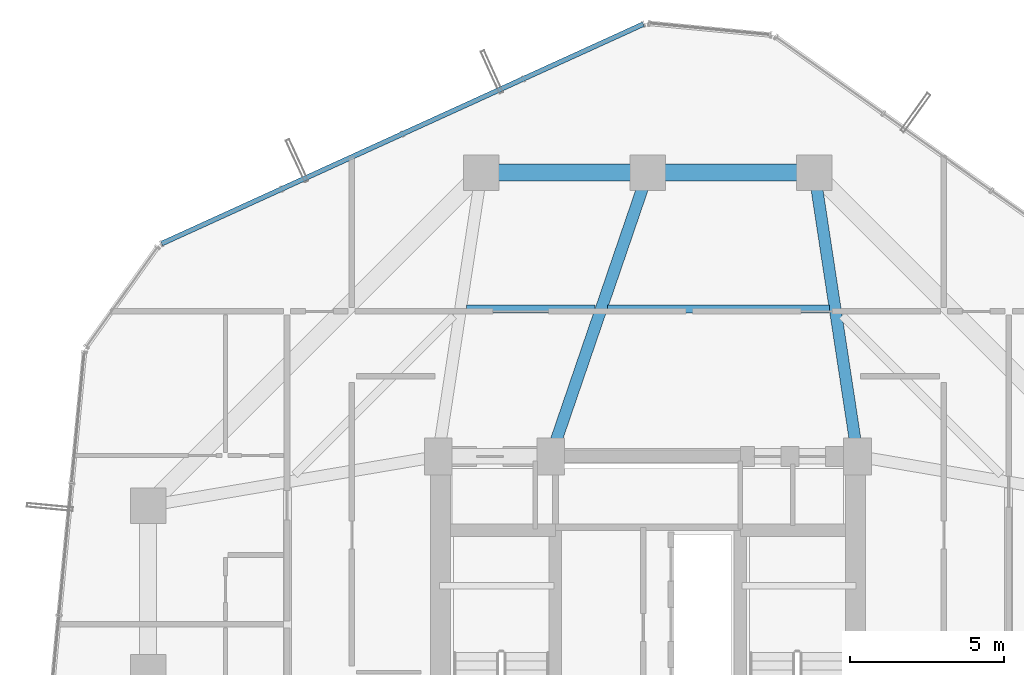
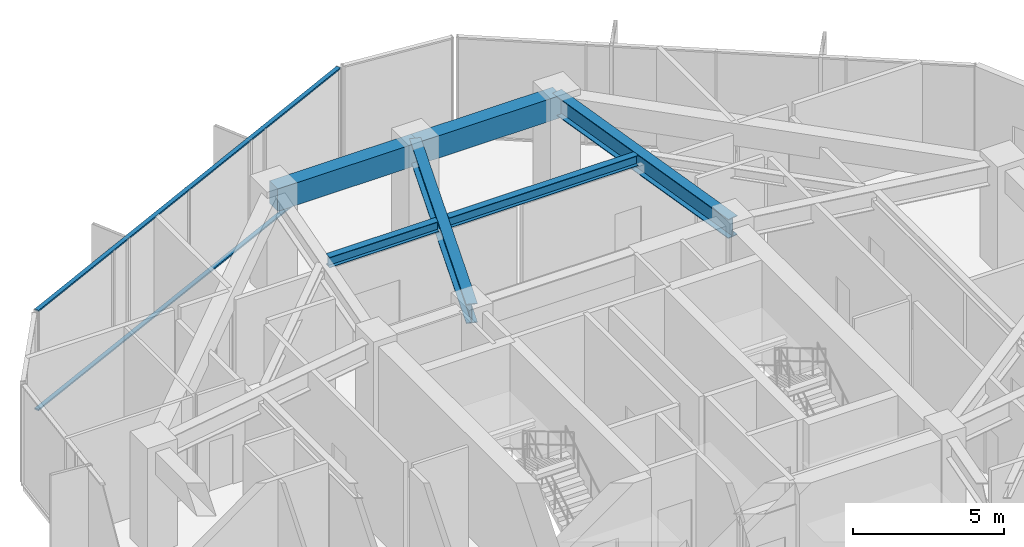
# One storey, part 16 of 25: 6 beams, 2 members, 1 element without a shape of its own.
"""IFC4 building model written with IfcOpenShell, lengths in metres."""

from ifc_helpers import new_model, si_unit, direction, frame, origin, origin_2d, place, context, subcontext, project, spatial, rectangle, hollow_rectangle, i_section, extrude, source, transform, mapped, material, layer, layer_set, material_profile, profile_set, type_object, element, aggregate, save


model = new_model("IFC4")

# Units and contexts
model_context = context("Model", 3, precision=1e-05, world=origin(), true_north=direction((0.0, 1.0)))
body_context = subcontext(model_context, "Body", "Model", "MODEL_VIEW")
ifc_project = project(units=[si_unit("LENGTHUNIT", "METRE"), si_unit("AREAUNIT", "SQUARE_METRE"), si_unit("VOLUMEUNIT", "CUBIC_METRE"), si_unit("PLANEANGLEUNIT", "RADIAN"), si_unit("MASSUNIT", "GRAM", prefix="KILO")], contexts=[model_context])

# Site, building, storey
site_placement = place(None, origin())
site = spatial("IfcSite", under=ifc_project, at=site_placement, CompositionType="ELEMENT")
building_placement = place(site_placement, origin())
building = spatial("IfcBuilding", under=site, at=building_placement, Name="Veraguas Prism Commons", CompositionType="ELEMENT")
storey_placement = place(building_placement, frame((0.0, 0.0, 108.949951171875)))
storey = spatial("IfcBuildingStorey", under=building, at=storey_placement, Name="L30", CompositionType="ELEMENT", Elevation=108.949951171875)

# Beams
ifc_material_1 = material(Name="Steel ASTM A992 Grade 50", Category="steel")
ifc_material_profile_1 = material_profile(ifc_material_1, i_section(OverallWidth=0.382080078125, OverallDepth=0.779052734375, WebThickness=0.01806640625, FlangeThickness=0.030029296875, at=origin_2d()), Name="W760X284")
ifc_profile_set_1 = profile_set([ifc_material_profile_1], Name="Steel ASTM A992 Grade 50")
beam_type_1 = type_object("IfcBeamType", Name="Assembly Primary Girder W760x284", PredefinedType="BEAM", material=ifc_profile_set_1)
beam_1_placement = place(storey_placement, frame((29.39990234375, 40.199951171875, 3.66064453125), z_axis=(0.150458162136, -0.98861637729, 0.0), x_axis=(0.98861637729, 0.150458162136, 0.0)))
element("IfcBeam", 1, at=beam_1_placement, inside=storey, type_object=beam_type_1, Name="Radial Floor Girder L30-RD04", PredefinedType="BEAM", context=body_context, shape_type="SweptSolid", body=[
    extrude(i_section(OverallWidth=0.382080078125, OverallDepth=0.779052734375, WebThickness=0.01806640625, FlangeThickness=0.030029296875, at=origin_2d()), origin(), (0.0, 0.0, 1.0), 9.305908203125),
])
beam_2_placement = place(storey_placement, frame((24.0, 40.199951171875, 3.66064453125), z_axis=(-0.323922482989, -0.946083624747, 0.0), x_axis=(0.946083624747, -0.323922482989, 0.0)))
element("IfcBeam", 2, at=beam_2_placement, inside=storey, type_object=beam_type_1, Name="Radial Floor Girder L30-RD05", PredefinedType="BEAM", context=body_context, shape_type="SweptSolid", body=[
    extrude(i_section(OverallWidth=0.382080078125, OverallDepth=0.779052734375, WebThickness=0.01806640625, FlangeThickness=0.030029296875, at=origin_2d()), origin(), (0.0, 0.0, 1.0), 9.724365234375),
])
ifc_material_profile_2 = material_profile(ifc_material_1, i_section(OverallWidth=0.260986328125, OverallDepth=0.419921875, WebThickness=0.01171875, FlangeThickness=0.019287109375, at=origin_2d()), Name="W410X114")
ifc_profile_set_2 = profile_set([ifc_material_profile_2], Name="Steel ASTM A992 Grade 50")
beam_type_2 = type_object("IfcBeamType", Name="Lower Floor Joist W410x114", PredefinedType="JOIST", material=ifc_profile_set_2)
beam_3_placement = place(storey_placement, frame((29.880859375, 35.783935546875, 3.840087890625), z_axis=(-1.0, 0.0, 0.0), x_axis=(0.0, -1.0, 0.0)))
element("IfcBeam", 3, at=beam_3_placement, inside=storey, type_object=beam_type_2, Name="Composite Floor Joist L30-JS04", PredefinedType="JOIST", context=body_context, shape_type="SweptSolid", body=[
    extrude(i_section(OverallWidth=0.260986328125, OverallDepth=0.419921875, WebThickness=0.01171875, FlangeThickness=0.019287109375, at=origin_2d()), origin(), (0.0, 0.0, 1.0), 7.193115234375),
])
beam_4_placement = place(storey_placement, frame((22.2880859375, 35.783935546875, 3.840087890625), z_axis=(-1.0, 0.0, 0.0), x_axis=(0.0, -1.0, 0.0)))
element("IfcBeam", 4, at=beam_4_placement, inside=storey, type_object=beam_type_2, Name="Composite Floor Joist L30-JS05", PredefinedType="JOIST", context=body_context, shape_type="SweptSolid", body=[
    extrude(i_section(OverallWidth=0.260986328125, OverallDepth=0.419921875, WebThickness=0.01171875, FlangeThickness=0.019287109375, at=origin_2d()), origin(), (0.0, 0.0, 1.0), 4.1689453125),
])
ifc_material_2 = material(Name="Concrete C50/60", Category="concrete")
ifc_material_profile_3 = material_profile(ifc_material_2, rectangle(XDim=0.550048828125, YDim=0.89990234375, at=origin_2d()), Name="RC550X900")
ifc_profile_set_3 = profile_set([ifc_material_profile_3], Name="Concrete C50/60")
beam_type_3 = type_object("IfcBeamType", Name="Perimeter Spandrel Lower RC 550x900", PredefinedType="SPANDREL", material=ifc_profile_set_3)
for number, where, z_axis, x_axis, name in (
    (5, (29.39990234375, 40.199951171875, 3.60009765625), (-1.0, 0.0, 0.0), (0.0, -1.0, 0.0), "Perimeter Spandrel Beam L30-SP04"),
    (6, (24.0, 40.199951171875, 3.60009765625), (-1.0, 0.0, 0.0), (0.0, -1.0, 0.0), "Perimeter Spandrel Beam L30-SP05"),
):
    element("IfcBeam", number, at=place(storey_placement, frame(where, z_axis=z_axis, x_axis=x_axis)), inside=storey, type_object=beam_type_3, Name=name, PredefinedType="SPANDREL", context=body_context, shape_type="SweptSolid", body=[
        extrude(rectangle(XDim=0.550048828125, YDim=0.89990234375, at=origin_2d()), origin(), (0.0, 0.0, 1.0), 5.39990234375),
    ])

# Curtain wall, members
ifc_material_3 = material(Name="Anodised aluminium EN AW-6063 T6", Category="aluminium")
ifc_layer = layer(ifc_material_3, 0.199951171875, Name="Sky Lobby and Pool Acoustic Curtain Wall", Category="aluminium")
ifc_layer_set = layer_set([ifc_layer], Name="Anodised aluminium EN AW-6063 T6")
curtain_wall_type = type_object("IfcCurtainWallType", Name="Sky Lobby and Pool Acoustic Curtain Wall", PredefinedType="NOTDEFINED", material=ifc_layer_set)
curtain_wall_placement = place(storey_placement, origin())
curtain_wall = element("IfcCurtainWall", 7, at=curtain_wall_placement, inside=storey, type_object=curtain_wall_type, Name="Tower Facade Curtain Wall L30-F2", PredefinedType="NOTDEFINED")
ifc_material_profile_4 = material_profile(ifc_material_3, hollow_rectangle(XDim=0.06005859375, YDim=0.159912109375, WallThickness=0.0029296875, at=origin_2d()), Name="AL60X160X3")
ifc_profile_set_4 = profile_set([ifc_material_profile_4], Name="Anodised aluminium EN AW-6063 T6")
member_type = type_object("IfcMemberType", Name="Curtain Wall Transom Heavy AL 60x160x3", PredefinedType="USERDEFINED", material=ifc_profile_set_4)
shared_shape = source(origin(), body_context, "Body", "SweptSolid", [
    extrude(hollow_rectangle(XDim=0.06005859375, YDim=0.159912109375, WallThickness=0.0029296875, at=origin_2d()), origin(), (0.0, 0.0, 1.0), 17.16943359375),
])
member_1_placement = place(storey_placement, frame((23.85693359375, 45.015380859375, 0.030029296875), z_axis=(-0.909959907945, -0.414696233324, 0.0), x_axis=(0.0, 0.0, 1.0)))
member_1 = element("IfcMember", 8, at=member_1_placement, type_object=member_type, Name="CW-SKY Transom 1", ObjectType="TRANSOM", PredefinedType="USERDEFINED", context=body_context, shape_type="MappedRepresentation", body=[
    mapped(shared_shape, transform((0.0, 0.0, 0.0), scale=1.0)),
])
member_2_placement = place(storey_placement, frame((23.85693359375, 45.015380859375, 4.02001953125), z_axis=(-0.909959907945, -0.414696233324, 0.0), x_axis=(0.0, 0.0, 1.0)))
member_2 = element("IfcMember", 9, at=member_2_placement, type_object=member_type, Name="CW-SKY Transom 2", ObjectType="TRANSOM", PredefinedType="USERDEFINED", context=body_context, shape_type="MappedRepresentation", body=[
    mapped(shared_shape, transform((0.0, 0.0, 0.0), scale=1.0)),
])
aggregate(curtain_wall, [member_1, member_2])

save(model, "model.ifc")
